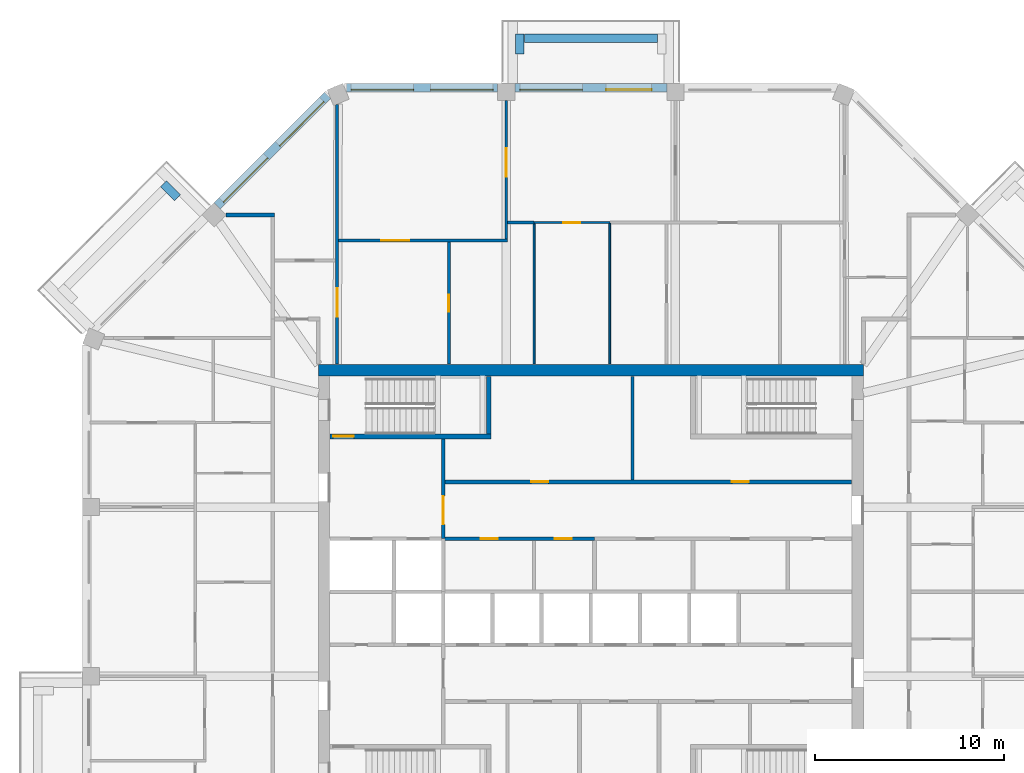
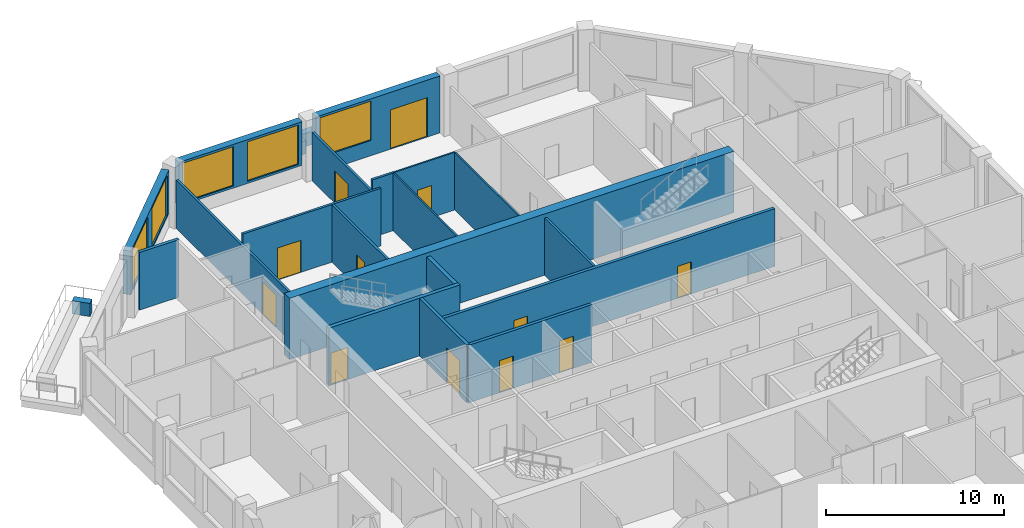
# One storey, part 8 of 11: 22 walls, 12 doors, 5 windows, 17 openings.
"""IFC4 building model written with IfcOpenShell, lengths in metres."""

from ifc_helpers import new_model, si_unit, direction, frame, frame_2d, origin, place, context, subcontext, project, spatial, rectangle, extrude, material, layer, layer_set, type_object, element, fill, save


model = new_model("IFC4")

# Units and contexts
model_context = context("Model", 3, precision=1e-05, world=origin(), true_north=direction((0.0, 1.0)))
body_context = subcontext(model_context, "Body", "Model", "MODEL_VIEW")
ifc_project = project(units=[si_unit("LENGTHUNIT", "METRE"), si_unit("AREAUNIT", "SQUARE_METRE"), si_unit("VOLUMEUNIT", "CUBIC_METRE"), si_unit("PLANEANGLEUNIT", "RADIAN"), si_unit("MASSUNIT", "GRAM", prefix="KILO")], contexts=[model_context])

# Site, building, storey
site_placement = place(None, origin())
site = spatial("IfcSite", under=ifc_project, at=site_placement, CompositionType="ELEMENT")
building_placement = place(site_placement, origin())
building = spatial("IfcBuilding", under=site, at=building_placement, Name="Msitu Wima Residences", CompositionType="ELEMENT")
storey_placement = place(building_placement, frame((0.0, 0.0, 268.5)))
storey = spatial("IfcBuildingStorey", under=building, at=storey_placement, Name="L62", CompositionType="ELEMENT", Elevation=268.5)

# Walls
ifc_material_1 = material(Name="Facing brick")
ifc_layer_1 = layer(ifc_material_1, 0.06494140625, Name="Facing brick")
ifc_material_2 = material(Name="Concrete C40/50", Category="concrete")
ifc_layer_2 = layer(ifc_material_2, 0.156005859375, Name="Concrete C40/50")
ifc_material_3 = material(Name="Waterproofing membrane")
ifc_layer_3 = layer(ifc_material_3, 0.00390625, Name="Waterproofing membrane")
ifc_material_4 = material(Name="Planting soil and planting")
ifc_layer_4 = layer(ifc_material_4, 0.22509765625, Name="Planting soil and planting")
ifc_layer_set_1 = layer_set([ifc_layer_1, ifc_layer_2, ifc_layer_3, ifc_layer_4], Name="Concrete C40/50")
wall_type_1 = type_object("IfcWallType", Name="Balcony planter PLANTER PL450", PredefinedType="USERDEFINED", material=ifc_layer_set_1)
wall_1_placement = place(storey_placement, frame((3.5185546875, 29.22509765625, 0.0), z_axis=(0.0, 0.0, 1.0), x_axis=(-1.0, 0.0, 0.0)))
element("IfcWall", 1, at=wall_1_placement, inside=storey, type_object=wall_type_1, Name="Balcony planter N1 L62", ObjectType="PLANTER", PredefinedType="USERDEFINED", context=body_context, shape_type="SweptSolid", body=[
    extrude(rectangle(XDim=7.037109375, YDim=0.449951171875, at=frame_2d((3.5185546875, 0.0))), origin(), (0.0, 0.0, 1.0), 0.89990234375),
])
for number, where, z_axis, x_axis, name in (
    (2, (-3.74365234375, 28.39990234375, 0.0), (0.0, 0.0, 1.0), (0.0, 1.0, 0.0), "Balcony planter N1 L62"),
    (3, (-21.829833984375, 20.804443359375, 0.0), (0.0, 0.0, 1.0), (-0.707106781187, 0.707106781187, 0.0), "Balcony planter NW1 L62"),
):
    element("IfcWall", number, at=place(storey_placement, frame(where, z_axis=z_axis, x_axis=x_axis)), inside=storey, type_object=wall_type_1, Name=name, ObjectType="PLANTER", PredefinedType="USERDEFINED", context=body_context, shape_type="SweptSolid", body=[
        extrude(rectangle(XDim=1.050048828125, YDim=0.449951171875, at=frame_2d((0.52490234375, 0.0))), origin(), (0.0, 0.0, 1.0), 0.89990234375),
    ])

# Wall, openings, door, window
ifc_material_5 = material(Name="Brick (red buff mix)", Category="masonry")
ifc_layer_5 = layer(ifc_material_5, 0.449951171875)
ifc_layer_set_2 = layer_set([ifc_layer_5], Name="Brick (red buff mix)")
wall_type_2 = type_object("IfcWallType", Name="Brick infill wall BW450", PredefinedType="SOLIDWALL", material=ifc_layer_set_2)
wall_2_placement = place(storey_placement, frame((4.0185546875, 26.625, 0.0), z_axis=(0.0, 0.0, 1.0), x_axis=(-1.0, 0.0, 0.0)))
wall_2 = element("IfcWall", 4, at=wall_2_placement, inside=storey, type_object=wall_type_2, Name="Brick infill wall L62 N1", PredefinedType="SOLIDWALL", context=body_context, shape_type="SweptSolid", body=[
    extrude(rectangle(XDim=8.037109375, YDim=0.449951171875, at=frame_2d((4.0185546875, 0.0))), origin(), (0.0, 0.0, 1.0), 3.89990234375),
])
opening_1_placement = place(wall_2_placement, frame((0.809326171875, 0.0, 0.0)))
opening_1 = element("IfcOpeningElement", 5, at=opening_1_placement, cuts=wall_2, Name="Opening D60-62.002", PredefinedType="OPENING", context=body_context, shape_type="SweptSolid", body=[
    extrude(rectangle(XDim=2.39990234375, YDim=2.699951171875, at=frame_2d((1.199951171875, 1.35009765625))), frame((0.0, 0.23486328125, 0.0), z_axis=(0.0, -1.0, 0.0), x_axis=(1.0, 0.0, 0.0)), (0.0, 0.0, 1.0), 0.469970703125),
])
opening_2_placement = place(wall_2_placement, frame((4.46875, 0.0, 1.050048828125)))
opening_2 = element("IfcOpeningElement", 6, at=opening_2_placement, cuts=wall_2, Name="Opening W60-62.008", PredefinedType="OPENING", context=body_context, shape_type="SweptSolid", body=[
    extrude(rectangle(XDim=3.300048828125, YDim=2.699951171875, at=frame_2d((1.64990234375, 1.35009765625))), frame((0.0, 0.23486328125, 0.0), z_axis=(0.0, -1.0, 0.0), x_axis=(1.0, 0.0, 0.0)), (0.0, 0.0, 1.0), 0.469970703125),
])
ifc_material_6 = material(Name="Anodised aluminium, bronze finish, clear low-emissivity double glazing", Category="aluminium")
door_type_1 = type_object("IfcDoorType", Name="Balcony door D2400x2700", OperationType="SLIDING_TO_LEFT", PredefinedType="DOOR", material=ifc_material_6)
door_1_placement = place(opening_1_placement, origin())
door_1 = element("IfcDoor", 7, at=door_1_placement, inside=storey, type_object=door_type_1, Name="Balcony door L62 N1", OperationType="SINGLE_SWING_LEFT", OverallHeight=2.699951171875, OverallWidth=2.39990234375, PredefinedType="DOOR", context=body_context, shape_type="SweptSolid", body=[
    extrude(rectangle(XDim=2.39990234375, YDim=2.699951171875, at=frame_2d((1.199951171875, 1.35009765625))), frame((0.0, 0.1298828125, 0.0), z_axis=(0.0, -1.0, 0.0), x_axis=(1.0, 0.0, 0.0)), (0.0, 0.0, 1.0), 0.050048828125),
])
fill(opening_1, door_1)
window_type = type_object("IfcWindowType", Name="Window W3300x2700", PartitioningType="DOUBLE_PANEL_VERTICAL", PredefinedType="WINDOW", material=ifc_material_6)
window_1_placement = place(opening_2_placement, origin())
window_1 = element("IfcWindow", 8, at=window_1_placement, inside=storey, type_object=window_type, Name="Window L62 N1.2", OverallHeight=2.699951171875, OverallWidth=3.300048828125, PartitioningType="SINGLE_PANEL", PredefinedType="WINDOW", context=body_context, shape_type="SweptSolid", body=[
    extrude(rectangle(XDim=3.300048828125, YDim=2.699951171875, at=frame_2d((1.64990234375, 1.35009765625))), frame((0.0, 0.135009765625, 0.0), z_axis=(0.0, -1.0, 0.0), x_axis=(1.0, 0.0, 0.0)), (0.0, 0.0, 1.0), 0.06005859375),
])
fill(opening_2, window_1)

# Wall, openings, windows
wall_3_placement = place(storey_placement, frame((-4.918701171875, 26.625, 0.89990234375), z_axis=(0.0, 0.0, 1.0), x_axis=(-1.0, 0.0, 0.0)))
wall_3 = element("IfcWall", 9, at=wall_3_placement, inside=storey, type_object=wall_type_2, Name="Brick infill wall L62 N2", PredefinedType="SOLIDWALL", context=body_context, shape_type="SweptSolid", body=[
    extrude(rectangle(XDim=8.0, YDim=0.449951171875, at=frame_2d((4.0, 0.0))), origin(), (0.0, 0.0, 1.0), 3.0),
])
opening_3_placement = place(wall_3_placement, frame((0.25, 0.0, 0.14990234375)))
opening_3 = element("IfcOpeningElement", 10, at=opening_3_placement, cuts=wall_3, Name="Opening W60-62.009", PredefinedType="OPENING", context=body_context, shape_type="SweptSolid", body=[
    extrude(rectangle(XDim=3.300048828125, YDim=2.699951171875, at=frame_2d((1.64990234375, 1.35009765625))), frame((0.0, 0.23486328125, 0.0), z_axis=(0.0, -1.0, 0.0), x_axis=(1.0, 0.0, 0.0)), (0.0, 0.0, 1.0), 0.469970703125),
])
opening_4_placement = place(wall_3_placement, frame((4.4501953125, 0.0, 0.14990234375)))
opening_4 = element("IfcOpeningElement", 11, at=opening_4_placement, cuts=wall_3, Name="Opening W60-62.010", PredefinedType="OPENING", context=body_context, shape_type="SweptSolid", body=[
    extrude(rectangle(XDim=3.300048828125, YDim=2.699951171875, at=frame_2d((1.64990234375, 1.35009765625))), frame((0.0, 0.23486328125, 0.0), z_axis=(0.0, -1.0, 0.0), x_axis=(1.0, 0.0, 0.0)), (0.0, 0.0, 1.0), 0.469970703125),
])
window_2_placement = place(opening_3_placement, origin())
window_2 = element("IfcWindow", 12, at=window_2_placement, inside=storey, type_object=window_type, Name="Window L62 N2.1", OverallHeight=2.699951171875, OverallWidth=3.300048828125, PartitioningType="SINGLE_PANEL", PredefinedType="WINDOW", context=body_context, shape_type="SweptSolid", body=[
    extrude(rectangle(XDim=3.300048828125, YDim=2.699951171875, at=frame_2d((1.64990234375, 1.35009765625))), frame((0.0, 0.135009765625, 0.0), z_axis=(0.0, -1.0, 0.0), x_axis=(1.0, 0.0, 0.0)), (0.0, 0.0, 1.0), 0.06005859375),
])
fill(opening_3, window_2)
window_3_placement = place(opening_4_placement, origin())
window_3 = element("IfcWindow", 13, at=window_3_placement, inside=storey, type_object=window_type, Name="Window L62 N2.2", OverallHeight=2.699951171875, OverallWidth=3.300048828125, PartitioningType="SINGLE_PANEL", PredefinedType="WINDOW", context=body_context, shape_type="SweptSolid", body=[
    extrude(rectangle(XDim=3.300048828125, YDim=2.699951171875, at=frame_2d((1.64990234375, 1.35009765625))), frame((0.0, 0.135009765625, 0.0), z_axis=(0.0, -1.0, 0.0), x_axis=(1.0, 0.0, 0.0)), (0.0, 0.0, 1.0), 0.06005859375),
])
fill(opening_4, window_3)

wall_4_placement = place(storey_placement, frame((-13.909423828125, 26.214599609375, 0.89990234375), z_axis=(0.0, 0.0, 1.0), x_axis=(-0.707106781187, -0.707106781187, 0.0)))
wall_4 = element("IfcWall", 14, at=wall_4_placement, inside=storey, type_object=wall_type_2, Name="Brick infill wall L62 NW0", PredefinedType="SOLIDWALL", context=body_context, shape_type="SweptSolid", body=[
    extrude(rectangle(XDim=8.251220703125, YDim=0.449951171875, at=frame_2d((4.12548828125, 0.0))), origin(), (0.0, 0.0, 1.0), 3.0),
])
opening_5_placement = place(wall_4_placement, frame((0.37548828125, 0.0, 0.14990234375)))
opening_5 = element("IfcOpeningElement", 15, at=opening_5_placement, cuts=wall_4, Name="Opening W60-62.014", PredefinedType="OPENING", context=body_context, shape_type="SweptSolid", body=[
    extrude(rectangle(XDim=3.300048828125, YDim=2.699951171875, at=frame_2d((1.64990234375, 1.35009765625))), frame((0.0, 0.23486328125, 0.0), z_axis=(0.0, -1.0, 0.0), x_axis=(1.0, 0.0, 0.0)), (0.0, 0.0, 1.0), 0.469970703125),
])
opening_6_placement = place(wall_4_placement, frame((4.57568359375, 0.0, 0.14990234375)))
opening_6 = element("IfcOpeningElement", 16, at=opening_6_placement, cuts=wall_4, Name="Opening W60-62.015", PredefinedType="OPENING", context=body_context, shape_type="SweptSolid", body=[
    extrude(rectangle(XDim=3.300048828125, YDim=2.699951171875, at=frame_2d((1.64990234375, 1.35009765625))), frame((0.0, 0.23486328125, 0.0), z_axis=(0.0, -1.0, 0.0), x_axis=(1.0, 0.0, 0.0)), (0.0, 0.0, 1.0), 0.469970703125),
])
window_4_placement = place(opening_5_placement, origin())
window_4 = element("IfcWindow", 17, at=window_4_placement, inside=storey, type_object=window_type, Name="Window L62 NW0.1", OverallHeight=2.699951171875, OverallWidth=3.300048828125, PartitioningType="SINGLE_PANEL", PredefinedType="WINDOW", context=body_context, shape_type="SweptSolid", body=[
    extrude(rectangle(XDim=3.300048828125, YDim=2.699951171875, at=frame_2d((1.64990234375, 1.35009765625))), frame((0.0, 0.135009765625, 0.0), z_axis=(0.0, -1.0, 0.0), x_axis=(1.0, 0.0, 0.0)), (0.0, 0.0, 1.0), 0.06005859375),
])
fill(opening_5, window_4)
window_5_placement = place(opening_6_placement, origin())
window_5 = element("IfcWindow", 18, at=window_5_placement, inside=storey, type_object=window_type, Name="Window L62 NW0.2", OverallHeight=2.699951171875, OverallWidth=3.300048828125, PartitioningType="SINGLE_PANEL", PredefinedType="WINDOW", context=body_context, shape_type="SweptSolid", body=[
    extrude(rectangle(XDim=3.300048828125, YDim=2.699951171875, at=frame_2d((1.64990234375, 1.35009765625))), frame((0.0, 0.135009765625, 0.0), z_axis=(0.0, -1.0, 0.0), x_axis=(1.0, 0.0, 0.0)), (0.0, 0.0, 1.0), 0.06005859375),
])
fill(opening_6, window_5)

# Wall
ifc_material_7 = material(Name="Concrete C50/60", Category="concrete")
ifc_layer_6 = layer(ifc_material_7, 0.60009765625)
ifc_layer_set_3 = layer_set([ifc_layer_6], Name="Concrete C50/60")
wall_type_3 = type_object("IfcWallType", Name="Core wall CW600 C50/60", PredefinedType="SHEAR", material=ifc_layer_set_3)
wall_5_placement = place(storey_placement, frame((-14.39990234375, 11.699951171875, 0.0), z_axis=(0.0, 0.0, 1.0), x_axis=(1.0, 0.0, 0.0)))
element("IfcWall", 19, at=wall_5_placement, inside=storey, type_object=wall_type_3, Name="Core wall", PredefinedType="SHEAR", context=body_context, shape_type="SweptSolid", body=[
    extrude(rectangle(XDim=28.7998046875, YDim=0.60009765625, at=frame_2d((14.39990234375, 0.0))), origin(), (0.0, 0.0, 1.0), 4.199951171875),
])

# Wall, openings, doors
ifc_material_8 = material(Name="Plaster")
ifc_layer_7 = layer(ifc_material_8, 0.011962890625, Name="Plaster")
ifc_material_9 = material(Name="Concrete blockwork", Category="masonry")
ifc_layer_8 = layer(ifc_material_9, 0.176025390625, Name="Concrete blockwork")
ifc_layer_9 = layer(ifc_material_8, 0.011962890625, Name="Plaster")
ifc_layer_set_4 = layer_set([ifc_layer_7, ifc_layer_8, ifc_layer_9], Name="Concrete blockwork")
wall_type_4 = type_object("IfcWallType", Name="Corridor wall FW200", PredefinedType="PARTITIONING", material=ifc_layer_set_4)
wall_6_placement = place(storey_placement, frame((-7.820068359375, 2.800048828125, 0.0), z_axis=(0.0, 0.0, 1.0), x_axis=(1.0, 0.0, 0.0)))
wall_6 = element("IfcWall", 20, at=wall_6_placement, inside=storey, type_object=wall_type_4, Name="Corridor wall", PredefinedType="PARTITIONING", context=body_context, shape_type="SweptSolid", body=[
    extrude(rectangle(XDim=8.0, YDim=0.199951171875, at=frame_2d((4.0, 0.0))), origin(), (0.0, 0.0, 1.0), 3.949951171875),
])
opening_7_placement = place(wall_6_placement, frame((2.0, 0.0, 0.0)))
opening_7 = element("IfcOpeningElement", 21, at=opening_7_placement, cuts=wall_6, Name="Opening D60-62.079", PredefinedType="OPENING", context=body_context, shape_type="SweptSolid", body=[
    extrude(rectangle(XDim=0.89990234375, YDim=2.199951171875, at=frame_2d((0.449951171875, 1.10009765625))), frame((0.0, 0.10986328125, 0.0), z_axis=(0.0, -1.0, 0.0), x_axis=(1.0, 0.0, 0.0)), (0.0, 0.0, 1.0), 0.219970703125),
])
opening_8_placement = place(wall_6_placement, frame((5.89990234375, 0.0, 0.0)))
opening_8 = element("IfcOpeningElement", 22, at=opening_8_placement, cuts=wall_6, Name="Opening D60-62.080", PredefinedType="OPENING", context=body_context, shape_type="SweptSolid", body=[
    extrude(rectangle(XDim=0.89990234375, YDim=2.199951171875, at=frame_2d((0.449951171875, 1.10009765625))), frame((0.0, 0.10986328125, 0.0), z_axis=(0.0, -1.0, 0.0), x_axis=(1.0, 0.0, 0.0)), (0.0, 0.0, 1.0), 0.219970703125),
])
ifc_material_10 = material(Name="Timber flush door", Category="wood")
door_type_2 = type_object("IfcDoorType", Name="Service door D05 900x2200", OperationType="SINGLE_SWING_LEFT", PredefinedType="DOOR", material=ifc_material_10)
door_2_placement = place(opening_7_placement, origin())
door_2 = element("IfcDoor", 23, at=door_2_placement, inside=storey, type_object=door_type_2, Name="Service door", OperationType="SINGLE_SWING_LEFT", OverallHeight=2.199951171875, OverallWidth=0.89990234375, PredefinedType="DOOR", context=body_context, shape_type="SweptSolid", body=[
    extrude(rectangle(XDim=0.89990234375, YDim=2.199951171875, at=frame_2d((0.449951171875, 1.10009765625))), frame((0.0, 0.02490234375, 0.0), z_axis=(0.0, -1.0, 0.0), x_axis=(1.0, 0.0, 0.0)), (0.0, 0.0, 1.0), 0.050048828125),
])
fill(opening_7, door_2)
door_3_placement = place(opening_8_placement, origin())
door_3 = element("IfcDoor", 24, at=door_3_placement, inside=storey, type_object=door_type_2, Name="Service door", OperationType="SINGLE_SWING_RIGHT", OverallHeight=2.199951171875, OverallWidth=0.89990234375, PredefinedType="DOOR", context=body_context, shape_type="SweptSolid", body=[
    extrude(rectangle(XDim=0.89990234375, YDim=2.199951171875, at=frame_2d((0.449951171875, 1.10009765625))), frame((0.0, 0.02490234375, 0.0), z_axis=(0.0, -1.0, 0.0), x_axis=(1.0, 0.0, 0.0)), (0.0, 0.0, 1.0), 0.050048828125),
])
fill(opening_8, door_3)

# Wall, opening, door
wall_7_placement = place(storey_placement, frame((-7.800048828125, 2.800048828125, 0.0), z_axis=(0.0, 0.0, 1.0), x_axis=(0.0, 1.0, 0.0)))
wall_7 = element("IfcWall", 25, at=wall_7_placement, inside=storey, type_object=wall_type_4, Name="Corridor wall", PredefinedType="PARTITIONING", context=body_context, shape_type="SweptSolid", body=[
    extrude(rectangle(XDim=5.27490234375, YDim=0.199951171875, at=frame_2d((2.637451171875, 0.0))), origin(), (0.0, 0.0, 1.0), 3.949951171875),
])
opening_9_placement = place(wall_7_placement, frame((0.75, 0.0, 0.0)))
opening_9 = element("IfcOpeningElement", 26, at=opening_9_placement, cuts=wall_7, Name="Opening D60-62.067", PredefinedType="OPENING", context=body_context, shape_type="SweptSolid", body=[
    extrude(rectangle(XDim=1.5, YDim=2.39990234375, at=frame_2d((0.75, 1.199951171875))), frame((0.0, 0.10986328125, 0.0), z_axis=(0.0, -1.0, 0.0), x_axis=(1.0, 0.0, 0.0)), (0.0, 0.0, 1.0), 0.219970703125),
])
ifc_material_11 = material(Name="Steel framed glazed door, fire resisting", Category="steel")
door_type_3 = type_object("IfcDoorType", Name="Lobby door D07 1500x2400", OperationType="DOUBLE_DOOR_SINGLE_SWING", PredefinedType="DOOR", material=ifc_material_11)
door_4_placement = place(opening_9_placement, origin())
door_4 = element("IfcDoor", 27, at=door_4_placement, inside=storey, type_object=door_type_3, Name="Lobby door", OperationType="DOUBLE_DOOR_SINGLE_SWING", OverallHeight=2.39990234375, OverallWidth=1.5, PredefinedType="DOOR", context=body_context, shape_type="SweptSolid", body=[
    extrude(rectangle(XDim=1.5, YDim=2.39990234375, at=frame_2d((0.75, 1.199951171875))), frame((0.0, 0.02490234375, 0.0), z_axis=(0.0, -1.0, 0.0), x_axis=(1.0, 0.0, 0.0)), (0.0, 0.0, 1.0), 0.050048828125),
])
fill(opening_9, door_4)

# Wall, openings, doors
wall_8_placement = place(storey_placement, frame((-7.699951171875, 5.800048828125, 0.0), z_axis=(0.0, 0.0, 1.0), x_axis=(1.0, 0.0, 0.0)))
wall_8 = element("IfcWall", 28, at=wall_8_placement, inside=storey, type_object=wall_type_4, Name="Corridor wall", PredefinedType="PARTITIONING", context=body_context, shape_type="SweptSolid", body=[
    extrude(rectangle(XDim=21.469970703125, YDim=0.199951171875, at=frame_2d((10.73486328125, 0.0))), origin(), (0.0, 0.0, 1.0), 3.949951171875),
])
opening_10_placement = place(wall_8_placement, frame((4.550048828125, 0.0, 0.0)))
opening_10 = element("IfcOpeningElement", 29, at=opening_10_placement, cuts=wall_8, Name="Opening D60-62.070", PredefinedType="OPENING", context=body_context, shape_type="SweptSolid", body=[
    extrude(rectangle(XDim=0.89990234375, YDim=2.199951171875, at=frame_2d((0.449951171875, 1.10009765625))), frame((0.0, 0.10986328125, 0.0), z_axis=(0.0, -1.0, 0.0), x_axis=(1.0, 0.0, 0.0)), (0.0, 0.0, 1.0), 0.219970703125),
])
opening_11_placement = place(wall_8_placement, frame((15.14990234375, 0.0, 0.0)))
opening_11 = element("IfcOpeningElement", 30, at=opening_11_placement, cuts=wall_8, Name="Opening D60-62.071", PredefinedType="OPENING", context=body_context, shape_type="SweptSolid", body=[
    extrude(rectangle(XDim=0.89990234375, YDim=2.199951171875, at=frame_2d((0.449951171875, 1.10009765625))), frame((0.0, 0.10986328125, 0.0), z_axis=(0.0, -1.0, 0.0), x_axis=(1.0, 0.0, 0.0)), (0.0, 0.0, 1.0), 0.219970703125),
])
door_5_placement = place(opening_10_placement, origin())
door_5 = element("IfcDoor", 31, at=door_5_placement, inside=storey, type_object=door_type_2, Name="Service door", OperationType="SINGLE_SWING_LEFT", OverallHeight=2.199951171875, OverallWidth=0.89990234375, PredefinedType="DOOR", context=body_context, shape_type="SweptSolid", body=[
    extrude(rectangle(XDim=0.89990234375, YDim=2.199951171875, at=frame_2d((0.449951171875, 1.10009765625))), frame((0.0, 0.02490234375, 0.0), z_axis=(0.0, -1.0, 0.0), x_axis=(1.0, 0.0, 0.0)), (0.0, 0.0, 1.0), 0.050048828125),
])
fill(opening_10, door_5)
door_6_placement = place(opening_11_placement, origin())
door_6 = element("IfcDoor", 32, at=door_6_placement, inside=storey, type_object=door_type_2, Name="Service door", OperationType="SINGLE_SWING_RIGHT", OverallHeight=2.199951171875, OverallWidth=0.89990234375, PredefinedType="DOOR", context=body_context, shape_type="SweptSolid", body=[
    extrude(rectangle(XDim=0.89990234375, YDim=2.199951171875, at=frame_2d((0.449951171875, 1.10009765625))), frame((0.0, 0.02490234375, 0.0), z_axis=(0.0, -1.0, 0.0), x_axis=(1.0, 0.0, 0.0)), (0.0, 0.0, 1.0), 0.050048828125),
])
fill(opening_11, door_6)

# Wall, opening, door
ifc_layer_10 = layer(ifc_material_8, 0.011962890625, Name="Plaster")
ifc_layer_11 = layer(ifc_material_9, 0.1259765625, Name="Concrete blockwork")
ifc_layer_12 = layer(ifc_material_8, 0.011962890625, Name="Plaster")
ifc_layer_set_5 = layer_set([ifc_layer_10, ifc_layer_11, ifc_layer_12], Name="Concrete blockwork")
wall_type_5 = type_object("IfcWallType", Name="Partition PW150", PredefinedType="PARTITIONING", material=ifc_layer_set_5)
wall_9_placement = place(storey_placement, frame((-13.406005859375, 12.030029296875, 0.0), z_axis=(0.0, 0.0, 1.0), x_axis=(0.0, 1.0, 0.0)))
wall_9 = element("IfcWall", 33, at=wall_9_placement, inside=storey, type_object=wall_type_5, Name="Partition", PredefinedType="PARTITIONING", context=body_context, shape_type="SweptSolid", body=[
    extrude(rectangle(XDim=13.701171875, YDim=0.14990234375, at=frame_2d((6.8505859375, 0.0))), origin(), (0.0, 0.0, 1.0), 3.300048828125),
])
opening_12_placement = place(wall_9_placement, frame((2.5, 0.0, 0.0)))
opening_12 = element("IfcOpeningElement", 34, at=opening_12_placement, cuts=wall_9, Name="Opening D60-62.027", PredefinedType="OPENING", context=body_context, shape_type="SweptSolid", body=[
    extrude(rectangle(XDim=1.5, YDim=2.199951171875, at=frame_2d((0.75, 1.10009765625))), frame((0.0, 0.0849609375, 0.0), z_axis=(0.0, -1.0, 0.0), x_axis=(1.0, 0.0, 0.0)), (0.0, 0.0, 1.0), 0.169921875),
])
ifc_material_12 = material(Name="Timber double door", Category="wood")
door_type_4 = type_object("IfcDoorType", Name="Double door D04 1500x2200", OperationType="DOUBLE_DOOR_SINGLE_SWING", PredefinedType="DOOR", material=ifc_material_12)
door_7_placement = place(opening_12_placement, origin())
door_7 = element("IfcDoor", 35, at=door_7_placement, inside=storey, type_object=door_type_4, Name="Double door", OperationType="DOUBLE_DOOR_SINGLE_SWING", OverallHeight=2.199951171875, OverallWidth=1.5, PredefinedType="DOOR", context=body_context, shape_type="SweptSolid", body=[
    extrude(rectangle(XDim=1.5, YDim=2.199951171875, at=frame_2d((0.75, 1.10009765625))), frame((0.0, 0.02490234375, 0.0), z_axis=(0.0, -1.0, 0.0), x_axis=(1.0, 0.0, 0.0)), (0.0, 0.0, 1.0), 0.050048828125),
])
fill(opening_12, door_7)

wall_10_placement = place(storey_placement, frame((-13.330810546875, 18.550048828125, 0.0), z_axis=(0.0, 0.0, 1.0), x_axis=(1.0, 0.0, 0.0)))
wall_10 = element("IfcWall", 36, at=wall_10_placement, inside=storey, type_object=wall_type_5, Name="Partition", PredefinedType="PARTITIONING", context=body_context, shape_type="SweptSolid", body=[
    extrude(rectangle(XDim=8.937255859375, YDim=0.14990234375, at=frame_2d((4.46875, 0.0))), origin(), (0.0, 0.0, 1.0), 3.949951171875),
])
opening_13_placement = place(wall_10_placement, frame((2.25, 0.0, 0.0)))
opening_13 = element("IfcOpeningElement", 37, at=opening_13_placement, cuts=wall_10, Name="Opening D60-62.031", PredefinedType="OPENING", context=body_context, shape_type="SweptSolid", body=[
    extrude(rectangle(XDim=1.5, YDim=2.199951171875, at=frame_2d((0.75, 1.10009765625))), frame((0.0, 0.0849609375, 0.0), z_axis=(0.0, -1.0, 0.0), x_axis=(1.0, 0.0, 0.0)), (0.0, 0.0, 1.0), 0.169921875),
])
door_8_placement = place(opening_13_placement, origin())
door_8 = element("IfcDoor", 38, at=door_8_placement, inside=storey, type_object=door_type_4, Name="Double door", OperationType="DOUBLE_DOOR_SINGLE_SWING", OverallHeight=2.199951171875, OverallWidth=1.5, PredefinedType="DOOR", context=body_context, shape_type="SweptSolid", body=[
    extrude(rectangle(XDim=1.5, YDim=2.199951171875, at=frame_2d((0.75, 1.10009765625))), frame((0.0, 0.02490234375, 0.0), z_axis=(0.0, -1.0, 0.0), x_axis=(1.0, 0.0, 0.0)), (0.0, 0.0, 1.0), 0.050048828125),
])
fill(opening_13, door_8)

wall_11_placement = place(storey_placement, frame((-7.5, 12.030029296875, 0.0), z_axis=(0.0, 0.0, 1.0), x_axis=(0.0, 1.0, 0.0)))
wall_11 = element("IfcWall", 39, at=wall_11_placement, inside=storey, type_object=wall_type_5, Name="Partition", PredefinedType="PARTITIONING", context=body_context, shape_type="SweptSolid", body=[
    extrude(rectangle(XDim=6.445068359375, YDim=0.14990234375, at=frame_2d((3.22265625, 0.0))), origin(), (0.0, 0.0, 1.0), 3.949951171875),
])
opening_14_placement = place(wall_11_placement, frame((2.75, 0.0, 0.0)))
opening_14 = element("IfcOpeningElement", 40, at=opening_14_placement, cuts=wall_11, Name="Opening D60-62.033", PredefinedType="OPENING", context=body_context, shape_type="SweptSolid", body=[
    extrude(rectangle(XDim=0.89990234375, YDim=2.199951171875, at=frame_2d((0.449951171875, 1.10009765625))), frame((0.0, 0.0849609375, 0.0), z_axis=(0.0, -1.0, 0.0), x_axis=(1.0, 0.0, 0.0)), (0.0, 0.0, 1.0), 0.169921875),
])
door_9_placement = place(opening_14_placement, origin())
door_9 = element("IfcDoor", 41, at=door_9_placement, inside=storey, type_object=door_type_2, Name="Service door", OperationType="SINGLE_SWING_RIGHT", OverallHeight=2.199951171875, OverallWidth=0.89990234375, PredefinedType="DOOR", context=body_context, shape_type="SweptSolid", body=[
    extrude(rectangle(XDim=0.89990234375, YDim=2.199951171875, at=frame_2d((0.449951171875, 1.10009765625))), frame((0.0, 0.02490234375, 0.0), z_axis=(0.0, -1.0, 0.0), x_axis=(1.0, 0.0, 0.0)), (0.0, 0.0, 1.0), 0.050048828125),
])
fill(opening_14, door_9)

wall_12_placement = place(storey_placement, frame((-4.46875, 18.625, 0.0), z_axis=(0.0, 0.0, 1.0), x_axis=(0.0, 1.0, 0.0)))
wall_12 = element("IfcWall", 42, at=wall_12_placement, inside=storey, type_object=wall_type_5, Name="Partition", PredefinedType="PARTITIONING", context=body_context, shape_type="SweptSolid", body=[
    extrude(rectangle(XDim=7.324951171875, YDim=0.14990234375, at=frame_2d((3.66259765625, 0.0))), origin(), (0.0, 0.0, 1.0), 3.300048828125),
])
opening_15_placement = place(wall_12_placement, frame((3.300048828125, 0.0, 0.0)))
opening_15 = element("IfcOpeningElement", 43, at=opening_15_placement, cuts=wall_12, Name="Opening D60-62.034", PredefinedType="OPENING", context=body_context, shape_type="SweptSolid", body=[
    extrude(rectangle(XDim=1.5, YDim=2.199951171875, at=frame_2d((0.75, 1.10009765625))), frame((0.0, 0.0849609375, 0.0), z_axis=(0.0, -1.0, 0.0), x_axis=(1.0, 0.0, 0.0)), (0.0, 0.0, 1.0), 0.169921875),
])
door_10_placement = place(opening_15_placement, origin())
door_10 = element("IfcDoor", 44, at=door_10_placement, inside=storey, type_object=door_type_4, Name="Double door", OperationType="DOUBLE_DOOR_SINGLE_SWING", OverallHeight=2.199951171875, OverallWidth=1.5, PredefinedType="DOOR", context=body_context, shape_type="SweptSolid", body=[
    extrude(rectangle(XDim=1.5, YDim=2.199951171875, at=frame_2d((0.75, 1.10009765625))), frame((0.0, 0.02490234375, 0.0), z_axis=(0.0, -1.0, 0.0), x_axis=(1.0, 0.0, 0.0)), (0.0, 0.0, 1.0), 0.050048828125),
])
fill(opening_15, door_10)

# Walls
wall_13_placement = place(storey_placement, frame((-4.3935546875, 19.5, 0.0), z_axis=(0.0, 0.0, 1.0), x_axis=(1.0, 0.0, 0.0)))
element("IfcWall", 45, at=wall_13_placement, inside=storey, type_object=wall_type_5, Name="Partition", PredefinedType="PARTITIONING", context=body_context, shape_type="SweptSolid", body=[
    extrude(rectangle(XDim=1.3935546875, YDim=0.14990234375, at=frame_2d((0.69677734375, 0.0))), origin(), (0.0, 0.0, 1.0), 3.949951171875),
])
wall_14_placement = place(storey_placement, frame((2.199951171875, 5.89990234375, 0.0), z_axis=(0.0, 0.0, 1.0), x_axis=(0.0, 1.0, 0.0)))
element("IfcWall", 46, at=wall_14_placement, inside=storey, type_object=wall_type_5, Name="Partition", PredefinedType="PARTITIONING", context=body_context, shape_type="SweptSolid", body=[
    extrude(rectangle(XDim=5.47021484375, YDim=0.14990234375, at=frame_2d((2.735107421875, 0.0))), origin(), (0.0, 0.0, 1.0), 3.949951171875),
])
ifc_layer_13 = layer(ifc_material_8, 0.011962890625, Name="Plaster")
ifc_material_13 = material(Name="Dense concrete blockwork", Category="masonry")
ifc_layer_14 = layer(ifc_material_13, 0.176025390625, Name="Dense concrete blockwork")
ifc_layer_15 = layer(ifc_material_8, 0.011962890625, Name="Plaster")
ifc_layer_set_6 = layer_set([ifc_layer_13, ifc_layer_14, ifc_layer_15], Name="Dense concrete blockwork")
wall_type_6 = type_object("IfcWallType", Name="Party wall PW200", PredefinedType="PARTITIONING", material=ifc_layer_set_6)
wall_15_placement = place(storey_placement, frame((-19.2666015625, 19.90283203125, 0.0), z_axis=(0.0, 0.0, 1.0), x_axis=(1.0, 0.0, 0.0)))
element("IfcWall", 47, at=wall_15_placement, inside=storey, type_object=wall_type_6, Name="Party wall", PredefinedType="PARTITIONING", context=body_context, shape_type="SweptSolid", body=[
    extrude(rectangle(XDim=2.566650390625, YDim=0.199951171875, at=frame_2d((1.283203125, 0.0))), origin(), (0.0, 0.0, 1.0), 3.949951171875),
])

# Wall, opening, door
ifc_layer_16 = layer(ifc_material_7, 0.25)
ifc_layer_set_7 = layer_set([ifc_layer_16], Name="Concrete C50/60")
wall_type_7 = type_object("IfcWallType", Name="Stair enclosure wall SW250", PredefinedType="SHEAR", material=ifc_layer_set_7)
wall_16_placement = place(storey_placement, frame((-13.77001953125, 8.199951171875, 0.0), z_axis=(0.0, 0.0, 1.0), x_axis=(1.0, 0.0, 0.0)))
wall_16 = element("IfcWall", 48, at=wall_16_placement, inside=storey, type_object=wall_type_7, Name="Stair enclosure wall", PredefinedType="SHEAR", context=body_context, shape_type="SweptSolid", body=[
    extrude(rectangle(XDim=8.4951171875, YDim=0.25, at=frame_2d((4.24755859375, 0.0))), origin(), (0.0, 0.0, 1.0), 3.949951171875),
])
opening_16_placement = place(wall_16_placement, frame((0.14990234375, 0.0, 0.0)))
opening_16 = element("IfcOpeningElement", 49, at=opening_16_placement, cuts=wall_16, Name="Opening D60-62.086", PredefinedType="OPENING", context=body_context, shape_type="SweptSolid", body=[
    extrude(rectangle(XDim=1.10009765625, YDim=2.199951171875, at=frame_2d((0.550048828125, 1.10009765625))), frame((0.0, 0.135009765625, 0.0), z_axis=(0.0, -1.0, 0.0), x_axis=(1.0, 0.0, 0.0)), (0.0, 0.0, 1.0), 0.27001953125),
])
ifc_material_14 = material(Name="Steel door, fire resisting, panic bar", Category="steel")
door_type_5 = type_object("IfcDoorType", Name="Stair door D06 1100x2200", OperationType="SINGLE_SWING_LEFT", PredefinedType="DOOR", material=ifc_material_14)
door_11_placement = place(opening_16_placement, origin())
door_11 = element("IfcDoor", 50, at=door_11_placement, inside=storey, type_object=door_type_5, Name="Stair door", OperationType="SINGLE_SWING_LEFT", OverallHeight=2.199951171875, OverallWidth=1.10009765625, PredefinedType="DOOR", context=body_context, shape_type="SweptSolid", body=[
    extrude(rectangle(XDim=1.10009765625, YDim=2.199951171875, at=frame_2d((0.550048828125, 1.10009765625))), frame((0.0, 0.02490234375, 0.0), z_axis=(0.0, -1.0, 0.0), x_axis=(1.0, 0.0, 0.0)), (0.0, 0.0, 1.0), 0.050048828125),
])
fill(opening_16, door_11)

# Walls
wall_17_placement = place(storey_placement, frame((-5.39990234375, 8.324951171875, 0.0), z_axis=(0.0, 0.0, 1.0), x_axis=(0.0, 1.0, 0.0)))
element("IfcWall", 51, at=wall_17_placement, inside=storey, type_object=wall_type_7, Name="Stair enclosure wall", PredefinedType="SHEAR", context=body_context, shape_type="SweptSolid", body=[
    extrude(rectangle(XDim=3.045166015625, YDim=0.25, at=frame_2d((1.5224609375, 0.0))), origin(), (0.0, 0.0, 1.0), 3.949951171875),
])
ifc_material_15 = material(Name="Ceramic tiles")
ifc_layer_17 = layer(ifc_material_15, 0.008056640625, Name="Ceramic tiles")
ifc_material_16 = material(Name="Moisture-resistant board")
ifc_layer_18 = layer(ifc_material_16, 0.012451171875, Name="Moisture-resistant board")
ifc_material_17 = material(Name="Light-gauge stud framing with mineral wool")
ifc_layer_19 = layer(ifc_material_17, 0.06689453125, Name="Light-gauge stud framing with mineral wool")
ifc_layer_20 = layer(ifc_material_16, 0.012451171875, Name="Moisture-resistant board")
ifc_layer_set_8 = layer_set([ifc_layer_17, ifc_layer_18, ifc_layer_19, ifc_layer_20], Name="Light-gauge stud framing with mineral wool")
wall_type_8 = type_object("IfcWallType", Name="Wet wall PW100", PredefinedType="PARTITIONING", material=ifc_layer_set_8)
wall_18_placement = place(storey_placement, frame((-3.0, 12.030029296875, 0.0), z_axis=(0.0, 0.0, 1.0), x_axis=(0.0, 1.0, 0.0)))
element("IfcWall", 52, at=wall_18_placement, inside=storey, type_object=wall_type_8, Name="Wet wall", PredefinedType="PARTITIONING", context=body_context, shape_type="SweptSolid", body=[
    extrude(rectangle(XDim=7.39501953125, YDim=0.10009765625, at=frame_2d((3.697509765625, 0.0))), origin(), (0.0, 0.0, 1.0), 3.949951171875),
])

# Wall, opening, door
wall_19_placement = place(storey_placement, frame((-3.0, 19.5, 0.0), z_axis=(0.0, 0.0, 1.0), x_axis=(1.0, 0.0, 0.0)))
wall_19 = element("IfcWall", 53, at=wall_19_placement, inside=storey, type_object=wall_type_8, Name="Wet wall", PredefinedType="PARTITIONING", context=body_context, shape_type="SweptSolid", body=[
    extrude(rectangle(XDim=4.0, YDim=0.10009765625, at=frame_2d((2.0, 0.0))), origin(), (0.0, 0.0, 1.0), 3.949951171875),
])
opening_17_placement = place(wall_19_placement, frame((1.550048828125, 0.0, 0.0)))
opening_17 = element("IfcOpeningElement", 54, at=opening_17_placement, cuts=wall_19, Name="Opening D60-62.035", PredefinedType="OPENING", context=body_context, shape_type="SweptSolid", body=[
    extrude(rectangle(XDim=0.89990234375, YDim=2.199951171875, at=frame_2d((0.449951171875, 1.10009765625))), frame((0.0, 0.06005859375, 0.0), z_axis=(0.0, -1.0, 0.0), x_axis=(1.0, 0.0, 0.0)), (0.0, 0.0, 1.0), 0.1201171875),
])
ifc_material_18 = material(Name="Timber flush door, moisture resistant", Category="wood")
door_type_6 = type_object("IfcDoorType", Name="Bathroom door D03 900x2200", OperationType="SINGLE_SWING_LEFT", PredefinedType="DOOR", material=ifc_material_18)
door_12_placement = place(opening_17_placement, origin())
door_12 = element("IfcDoor", 55, at=door_12_placement, inside=storey, type_object=door_type_6, Name="Bathroom door", OperationType="SINGLE_SWING_RIGHT", OverallHeight=2.199951171875, OverallWidth=0.89990234375, PredefinedType="DOOR", context=body_context, shape_type="SweptSolid", body=[
    extrude(rectangle(XDim=0.89990234375, YDim=2.199951171875, at=frame_2d((0.449951171875, 1.10009765625))), frame((0.0, 0.02490234375, 0.0), z_axis=(0.0, -1.0, 0.0), x_axis=(1.0, 0.0, 0.0)), (0.0, 0.0, 1.0), 0.050048828125),
])
fill(opening_17, door_12)

# Wall
wall_20_placement = place(storey_placement, frame((1.0, 12.030029296875, 0.0), z_axis=(0.0, 0.0, 1.0), x_axis=(0.0, 1.0, 0.0)))
element("IfcWall", 56, at=wall_20_placement, inside=storey, type_object=wall_type_8, Name="Wet wall", PredefinedType="PARTITIONING", context=body_context, shape_type="SweptSolid", body=[
    extrude(rectangle(XDim=7.419921875, YDim=0.10009765625, at=frame_2d((3.7099609375, 0.0))), origin(), (0.0, 0.0, 1.0), 3.949951171875),
])

save(model, "model.ifc")
